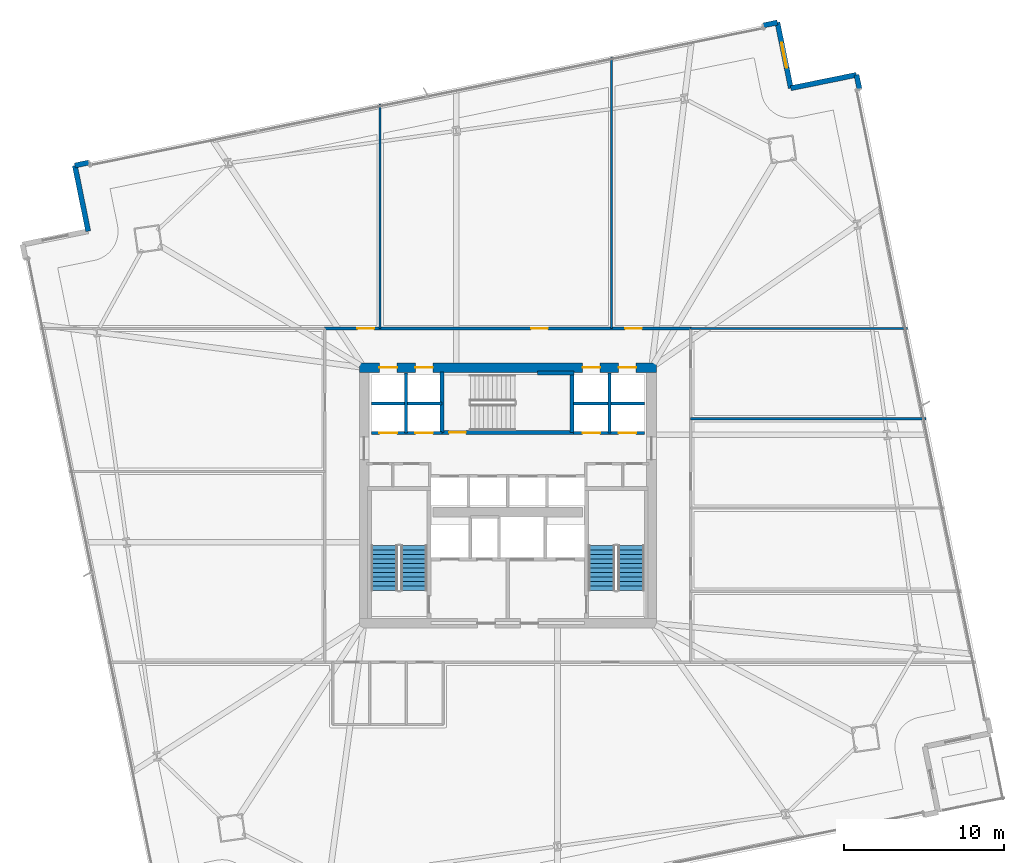
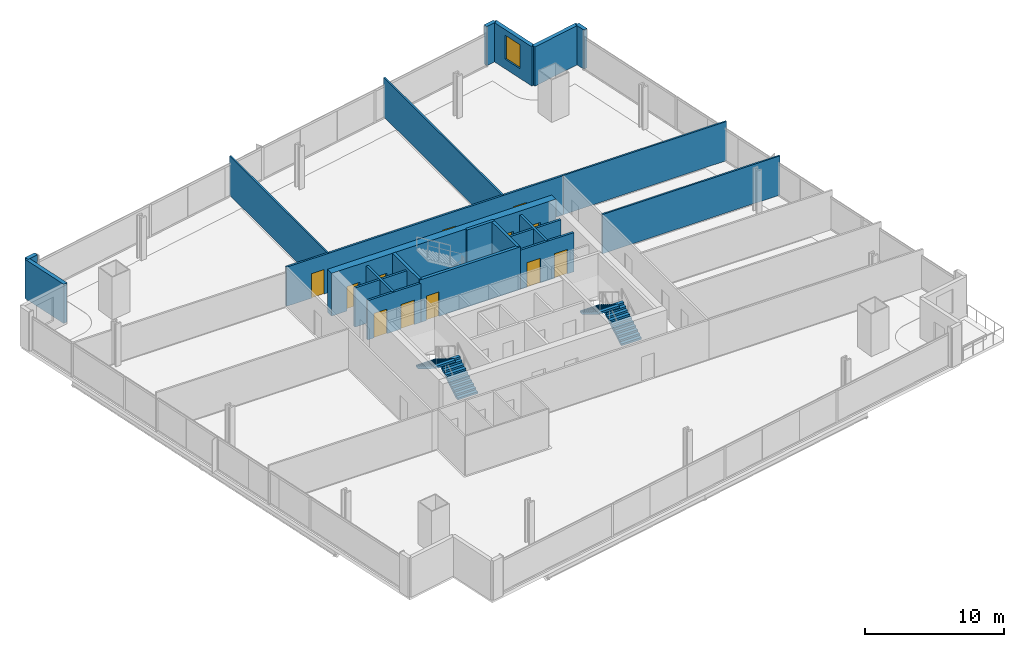
# One storey, part 27 of 33: 22 walls, 12 doors, 4 stair flights, 1 window, 13 openings, 2 elements without a shape of their own.
"""IFC4 building model written with IfcOpenShell, lengths in metres."""

from ifc_helpers import new_model, si_unit, direction, frame, frame_2d, origin, place, context, subcontext, project, spatial, polyline, rectangle, outline, extrude, material, layer, layer_set, type_object, element, fill, aggregate, save


model = new_model("IFC4")

# Units and contexts
model_context = context("Model", 3, precision=1e-05, world=origin(), true_north=direction((0.0, 1.0)))
body_context = subcontext(model_context, "Body", "Model", "MODEL_VIEW")
ifc_project = project(units=[si_unit("LENGTHUNIT", "METRE"), si_unit("AREAUNIT", "SQUARE_METRE"), si_unit("VOLUMEUNIT", "CUBIC_METRE"), si_unit("PLANEANGLEUNIT", "RADIAN"), si_unit("MASSUNIT", "GRAM", prefix="KILO")], contexts=[model_context])

# Site, building, storey
site_placement = place(None, origin())
site = spatial("IfcSite", under=ifc_project, at=site_placement, CompositionType="ELEMENT")
building_placement = place(site_placement, origin())
building = spatial("IfcBuilding", under=site, at=building_placement, Name="Haldenkirk Collegiate Tower", CompositionType="ELEMENT")
storey_placement = place(building_placement, frame((0.0, 0.0, 66.449951171875)))
storey = spatial("IfcBuildingStorey", under=building, at=storey_placement, Name="L15", CompositionType="ELEMENT", Elevation=66.449951171875)

# Wall, openings, doors
ifc_material_1 = material(Name="Concrete f'c 70 MPa", Category="concrete")
ifc_layer_1 = layer(ifc_material_1, 0.60009765625)
ifc_layer_set_1 = layer_set([ifc_layer_1], Name="Concrete f'c 70 MPa")
wall_type_1 = type_object("IfcWallType", Name="WL-CORE-600", PredefinedType="SHEAR", material=ifc_layer_set_1)
wall_1_placement = place(storey_placement, frame((26.699951171875, 34.0, 0.0), z_axis=(0.0, 0.0, 1.0), x_axis=(1.0, 0.0, 0.0)))
wall_1 = element("IfcWall", 1, at=wall_1_placement, inside=storey, type_object=wall_type_1, Name="L15 central core shear wall N", PredefinedType="SHEAR", context=body_context, shape_type="SweptSolid", body=[
    extrude(rectangle(XDim=18.60009765625, YDim=0.60009765625, at=frame_2d((9.300048828125, 0.0))), origin(), (0.0, 0.0, 1.0), 3.75),
])
opening_1_placement = place(wall_1_placement, frame((1.264892578125, 0.0, 0.0)))
opening_1 = element("IfcOpeningElement", 2, at=opening_1_placement, cuts=wall_1, Name="Opening LD-11", PredefinedType="OPENING", context=body_context, shape_type="SweptSolid", body=[
    extrude(rectangle(XDim=1.10009765625, YDim=2.14990234375, at=frame_2d((0.550048828125, 1.074951171875))), frame((0.0, 0.31005859375, 0.0), z_axis=(0.0, -1.0, 0.0), x_axis=(1.0, 0.0, 0.0)), (0.0, 0.0, 1.0), 0.6201171875),
])
opening_2_placement = place(wall_1_placement, frame((3.514892578125, 0.0, 0.0)))
opening_2 = element("IfcOpeningElement", 3, at=opening_2_placement, cuts=wall_1, Name="Opening LD-11", PredefinedType="OPENING", context=body_context, shape_type="SweptSolid", body=[
    extrude(rectangle(XDim=1.10009765625, YDim=2.14990234375, at=frame_2d((0.550048828125, 1.074951171875))), frame((0.0, 0.31005859375, 0.0), z_axis=(0.0, -1.0, 0.0), x_axis=(1.0, 0.0, 0.0)), (0.0, 0.0, 1.0), 0.6201171875),
])
opening_3_placement = place(wall_1_placement, frame((13.985107421875, 0.0, 0.0)))
opening_3 = element("IfcOpeningElement", 4, at=opening_3_placement, cuts=wall_1, Name="Opening LD-11", PredefinedType="OPENING", context=body_context, shape_type="SweptSolid", body=[
    extrude(rectangle(XDim=1.10009765625, YDim=2.14990234375, at=frame_2d((0.550048828125, 1.074951171875))), frame((0.0, 0.31005859375, 0.0), z_axis=(0.0, -1.0, 0.0), x_axis=(1.0, 0.0, 0.0)), (0.0, 0.0, 1.0), 0.6201171875),
])
opening_4_placement = place(wall_1_placement, frame((16.235107421875, 0.0, 0.0)))
opening_4 = element("IfcOpeningElement", 5, at=opening_4_placement, cuts=wall_1, Name="Opening LD-11", PredefinedType="OPENING", context=body_context, shape_type="SweptSolid", body=[
    extrude(rectangle(XDim=1.10009765625, YDim=2.14990234375, at=frame_2d((0.550048828125, 1.074951171875))), frame((0.0, 0.31005859375, 0.0), z_axis=(0.0, -1.0, 0.0), x_axis=(1.0, 0.0, 0.0)), (0.0, 0.0, 1.0), 0.6201171875),
])
ifc_material_2 = material(Name="Brushed architectural stainless steel", Category="steel")
ifc_layer_2 = layer(ifc_material_2, 0.06005859375)
ifc_layer_set_2 = layer_set([ifc_layer_2], Name="Brushed architectural stainless steel")
door_type_1 = type_object("IfcDoorType", Name="LD-PASS-1100", OperationType="NOTDEFINED", PredefinedType="DOOR", material=ifc_layer_set_2)
door_1_placement = place(opening_1_placement, origin())
door_1 = element("IfcDoor", 6, at=door_1_placement, inside=storey, type_object=door_type_1, Name="L15 Elevator PL3 sliding landing door", OperationType="SLIDING_TO_LEFT", OverallHeight=2.14990234375, OverallWidth=1.10009765625, PredefinedType="DOOR", context=body_context, shape_type="SweptSolid", body=[
    extrude(rectangle(XDim=1.10009765625, YDim=2.14990234375, at=frame_2d((0.550048828125, 1.074951171875))), frame((0.0, 0.02490234375, 0.0), z_axis=(0.0, -1.0, 0.0), x_axis=(1.0, 0.0, 0.0)), (0.0, 0.0, 1.0), 0.050048828125),
])
fill(opening_1, door_1)
door_2_placement = place(opening_2_placement, origin())
door_2 = element("IfcDoor", 7, at=door_2_placement, inside=storey, type_object=door_type_1, Name="L15 Elevator PL4 sliding landing door", OperationType="SLIDING_TO_LEFT", OverallHeight=2.14990234375, OverallWidth=1.10009765625, PredefinedType="DOOR", context=body_context, shape_type="SweptSolid", body=[
    extrude(rectangle(XDim=1.10009765625, YDim=2.14990234375, at=frame_2d((0.550048828125, 1.074951171875))), frame((0.0, 0.02490234375, 0.0), z_axis=(0.0, -1.0, 0.0), x_axis=(1.0, 0.0, 0.0)), (0.0, 0.0, 1.0), 0.050048828125),
])
fill(opening_2, door_2)
door_3_placement = place(opening_3_placement, origin())
door_3 = element("IfcDoor", 8, at=door_3_placement, inside=storey, type_object=door_type_1, Name="L15 Elevator PM3 sliding landing door", OperationType="SLIDING_TO_LEFT", OverallHeight=2.14990234375, OverallWidth=1.10009765625, PredefinedType="DOOR", context=body_context, shape_type="SweptSolid", body=[
    extrude(rectangle(XDim=1.10009765625, YDim=2.14990234375, at=frame_2d((0.550048828125, 1.074951171875))), frame((0.0, 0.02490234375, 0.0), z_axis=(0.0, -1.0, 0.0), x_axis=(1.0, 0.0, 0.0)), (0.0, 0.0, 1.0), 0.050048828125),
])
fill(opening_3, door_3)
door_4_placement = place(opening_4_placement, origin())
door_4 = element("IfcDoor", 9, at=door_4_placement, inside=storey, type_object=door_type_1, Name="L15 Elevator PM4 sliding landing door", OperationType="SLIDING_TO_LEFT", OverallHeight=2.14990234375, OverallWidth=1.10009765625, PredefinedType="DOOR", context=body_context, shape_type="SweptSolid", body=[
    extrude(rectangle(XDim=1.10009765625, YDim=2.14990234375, at=frame_2d((0.550048828125, 1.074951171875))), frame((0.0, 0.02490234375, 0.0), z_axis=(0.0, -1.0, 0.0), x_axis=(1.0, 0.0, 0.0)), (0.0, 0.0, 1.0), 0.050048828125),
])
fill(opening_4, door_4)

# Walls
ifc_material_3 = material(Name="Precast concrete f'c 40 MPa", Category="concrete")
ifc_layer_3 = layer(ifc_material_3, 0.320068359375)
ifc_layer_set_3 = layer_set([ifc_layer_3], Name="Precast concrete f'c 40 MPa")
wall_type_2 = type_object("IfcWallType", Name="WL-EXT-TWR-320", PredefinedType="STANDARD", material=ifc_layer_set_3)
wall_2_placement = place(storey_placement, frame((57.838623046875, 52.33251953125, 0.0), z_axis=(0.0, 0.0, 1.0), x_axis=(0.199401877541, -0.979917798202, 0.0)))
element("IfcWall", 10, at=wall_2_placement, inside=storey, type_object=wall_type_2, Name="L15 precast corner pier EL", PredefinedType="STANDARD", context=body_context, shape_type="SweptSolid", body=[
    extrude(rectangle(XDim=0.89990234375, YDim=0.320068359375, at=frame_2d((0.449951171875, 0.0))), origin(), (0.0, 0.0, 1.0), 3.43994140625),
])
wall_3_placement = place(storey_placement, frame((53.722900390625, 51.4951171875, 0.0), z_axis=(0.0, 0.0, 1.0), x_axis=(0.979922420409, 0.199379161348, 0.0)))
element("IfcWall", 11, at=wall_3_placement, inside=storey, type_object=wall_type_2, Name="L15 bronze precast notch wall 05", PredefinedType="STANDARD", context=body_context, shape_type="SweptSolid", body=[
    extrude(rectangle(XDim=4.199951171875, YDim=0.320068359375, at=frame_2d((2.10009765625, 0.0))), origin(), (0.0, 0.0, 1.0), 3.43994140625),
])

# Wall, opening, window
wall_4_placement = place(storey_placement, frame((52.885498046875, 55.61083984375, 0.0), z_axis=(0.0, 0.0, 1.0), x_axis=(0.199379161348, -0.979922420409, 0.0)))
wall_4 = element("IfcWall", 12, at=wall_4_placement, inside=storey, type_object=wall_type_2, Name="L15 bronze precast notch wall 06", PredefinedType="STANDARD", context=body_context, shape_type="SweptSolid", body=[
    extrude(rectangle(XDim=4.199951171875, YDim=0.320068359375, at=frame_2d((2.10009765625, 0.0))), origin(), (0.0, 0.0, 1.0), 3.43994140625),
])
opening_5_placement = place(wall_4_placement, frame((1.300048828125, 0.0, 0.85009765625)))
opening_5 = element("IfcOpeningElement", 13, at=opening_5_placement, cuts=wall_4, Name="Opening W-03", PredefinedType="OPENING", context=body_context, shape_type="SweptSolid", body=[
    extrude(rectangle(XDim=1.60009765625, YDim=2.10009765625, at=frame_2d((0.800048828125, 1.050048828125))), frame((0.0, 0.169921875, 0.0), z_axis=(0.0, -1.0, 0.0), x_axis=(1.0, 0.0, 0.0)), (0.0, 0.0, 1.0), 0.340087890625),
])
ifc_material_4 = material(Name="Low-E argon triple insulating glass", Category="glass")
ifc_layer_4 = layer(ifc_material_4, 0.090087890625)
ifc_layer_set_4 = layer_set([ifc_layer_4], Name="Low-E argon triple insulating glass")
window_type = type_object("IfcWindowType", Name="WN-Z1-1600X2100", PartitioningType="SINGLE_PANEL", PredefinedType="WINDOW", material=ifc_layer_set_4)
window_placement = place(opening_5_placement, origin())
window = element("IfcWindow", 14, at=window_placement, inside=storey, type_object=window_type, Name="L15 precast-frame academic window 5", OverallHeight=2.10009765625, OverallWidth=1.60009765625, PartitioningType="SINGLE_PANEL", PredefinedType="WINDOW", context=body_context, shape_type="SweptSolid", body=[
    extrude(rectangle(XDim=1.60009765625, YDim=2.10009765625, at=frame_2d((0.800048828125, 1.050048828125))), frame((0.0, 0.030029296875, 0.0), z_axis=(0.0, -1.0, 0.0), x_axis=(1.0, 0.0, 0.0)), (0.0, 0.0, 1.0), 0.06005859375),
])
fill(opening_5, window)

# Walls
for number, where, z_axis, x_axis, name in (
    (15, (8.886962890625, 46.6591796875, 0.0), (0.0, 0.0, 1.0), (0.979917798202, 0.199401877541, 0.0), "L15 precast corner pier NL"),
    (16, (52.003662109375, 55.431396484375, 0.0), (0.0, 0.0, 1.0), (0.979917798202, 0.199401877541, 0.0), "L15 precast corner pier NR"),
):
    element("IfcWall", number, at=place(storey_placement, frame(where, z_axis=z_axis, x_axis=x_axis)), inside=storey, type_object=wall_type_2, Name=name, PredefinedType="STANDARD", context=body_context, shape_type="SweptSolid", body=[
        extrude(rectangle(XDim=0.89990234375, YDim=0.320068359375, at=frame_2d((0.449951171875, 0.0))), origin(), (0.0, 0.0, 1.0), 3.43994140625),
    ])
wall_5_placement = place(storey_placement, frame((9.72412109375, 42.543701171875, 0.0), z_axis=(0.0, 0.0, 1.0), x_axis=(-0.199334697597, 0.979931466141, 0.0)))
element("IfcWall", 17, at=wall_5_placement, inside=storey, type_object=wall_type_2, Name="L15 bronze precast notch wall 08", PredefinedType="STANDARD", context=body_context, shape_type="SweptSolid", body=[
    extrude(rectangle(XDim=4.19970703125, YDim=0.320068359375, at=frame_2d((2.099853515625, 0.0))), origin(), (0.0, 0.0, 1.0), 3.43994140625),
])

# Wall, openings, doors
ifc_material_5 = material(Name="Acoustic fire-rated gypsum partition", Category="concrete")
ifc_layer_5 = layer(ifc_material_5, 0.159912109375)
ifc_layer_set_5 = layer_set([ifc_layer_5], Name="Acoustic fire-rated gypsum partition")
wall_type_3 = type_object("IfcWallType", Name="WL-INT-CORR-160", PredefinedType="PARTITIONING", material=ifc_layer_set_5)
wall_6_placement = place(storey_placement, frame((24.5, 36.449951171875, 0.0), z_axis=(0.0, 0.0, 1.0), x_axis=(1.0, 0.0, 0.0)))
wall_6 = element("IfcWall", 18, at=wall_6_placement, inside=storey, type_object=wall_type_3, Name="L15 interior partition IW-L15-CN", PredefinedType="PARTITIONING", context=body_context, shape_type="SweptSolid", body=[
    extrude(rectangle(XDim=23.0, YDim=0.159912109375, at=frame_2d((11.5, 0.0))), origin(), (0.0, 0.0, 1.0), 3.43994140625),
])
opening_6_placement = place(wall_6_placement, frame((2.0810546875, 0.0, 0.0)))
opening_6 = element("IfcOpeningElement", 19, at=opening_6_placement, cuts=wall_6, Name="Opening D-09", PredefinedType="OPENING", context=body_context, shape_type="SweptSolid", body=[
    extrude(rectangle(XDim=1.050048828125, YDim=2.14990234375, at=frame_2d((0.52490234375, 1.074951171875))), frame((0.0, 0.08984375, 0.0), z_axis=(0.0, -1.0, 0.0), x_axis=(1.0, 0.0, 0.0)), (0.0, 0.0, 1.0), 0.179931640625),
])
opening_7_placement = place(wall_6_placement, frame((12.955078125, 0.0, 0.0)))
opening_7 = element("IfcOpeningElement", 20, at=opening_7_placement, cuts=wall_6, Name="Opening D-09", PredefinedType="OPENING", context=body_context, shape_type="SweptSolid", body=[
    extrude(rectangle(XDim=1.050048828125, YDim=2.14990234375, at=frame_2d((0.52490234375, 1.074951171875))), frame((0.0, 0.08984375, 0.0), z_axis=(0.0, -1.0, 0.0), x_axis=(1.0, 0.0, 0.0)), (0.0, 0.0, 1.0), 0.179931640625),
])
opening_8_placement = place(wall_6_placement, frame((18.84912109375, 0.0, 0.0)))
opening_8 = element("IfcOpeningElement", 21, at=opening_8_placement, cuts=wall_6, Name="Opening D-09", PredefinedType="OPENING", context=body_context, shape_type="SweptSolid", body=[
    extrude(rectangle(XDim=1.050048828125, YDim=2.14990234375, at=frame_2d((0.52490234375, 1.074951171875))), frame((0.0, 0.08984375, 0.0), z_axis=(0.0, -1.0, 0.0), x_axis=(1.0, 0.0, 0.0)), (0.0, 0.0, 1.0), 0.179931640625),
])
ifc_material_6 = material(Name="Solid-core architectural oak fire door", Category="wood")
ifc_layer_6 = layer(ifc_material_6, 0.06005859375)
ifc_layer_set_6 = layer_set([ifc_layer_6], Name="Solid-core architectural oak fire door")
door_type_2 = type_object("IfcDoorType", Name="DR-INT-FD60-1050", OperationType="NOTDEFINED", PredefinedType="DOOR", material=ifc_layer_set_6)
door_5_placement = place(opening_6_placement, origin())
door_5 = element("IfcDoor", 22, at=door_5_placement, inside=storey, type_object=door_type_2, Name="L15 Catering Tea Kitchen 2 door", OperationType="SINGLE_SWING_RIGHT", OverallHeight=2.14990234375, OverallWidth=1.050048828125, PredefinedType="DOOR", context=body_context, shape_type="SweptSolid", body=[
    extrude(rectangle(XDim=1.050048828125, YDim=2.14990234375, at=frame_2d((0.52490234375, 1.074951171875))), frame((0.0, 0.02490234375, 0.0), z_axis=(0.0, -1.0, 0.0), x_axis=(1.0, 0.0, 0.0)), (0.0, 0.0, 1.0), 0.050048828125),
])
fill(opening_6, door_5)
door_6_placement = place(opening_7_placement, origin())
door_6 = element("IfcDoor", 23, at=door_6_placement, inside=storey, type_object=door_type_2, Name="L15 Faculty Tea Kitchen 3 door", OperationType="SINGLE_SWING_LEFT", OverallHeight=2.14990234375, OverallWidth=1.050048828125, PredefinedType="DOOR", context=body_context, shape_type="SweptSolid", body=[
    extrude(rectangle(XDim=1.050048828125, YDim=2.14990234375, at=frame_2d((0.52490234375, 1.074951171875))), frame((0.0, 0.02490234375, 0.0), z_axis=(0.0, -1.0, 0.0), x_axis=(1.0, 0.0, 0.0)), (0.0, 0.0, 1.0), 0.050048828125),
])
fill(opening_7, door_6)
door_7_placement = place(opening_8_placement, origin())
door_7 = element("IfcDoor", 24, at=door_7_placement, inside=storey, type_object=door_type_2, Name="L15 Academic Tea Kitchen 4 door", OperationType="SINGLE_SWING_RIGHT", OverallHeight=2.14990234375, OverallWidth=1.050048828125, PredefinedType="DOOR", context=body_context, shape_type="SweptSolid", body=[
    extrude(rectangle(XDim=1.050048828125, YDim=2.14990234375, at=frame_2d((0.52490234375, 1.074951171875))), frame((0.0, 0.02490234375, 0.0), z_axis=(0.0, -1.0, 0.0), x_axis=(1.0, 0.0, 0.0)), (0.0, 0.0, 1.0), 0.050048828125),
])
fill(opening_8, door_7)

# Walls
ifc_layer_7 = layer(ifc_material_5, 0.139892578125)
ifc_layer_set_7 = layer_set([ifc_layer_7], Name="Acoustic fire-rated gypsum partition")
wall_type_4 = type_object("IfcWallType", Name="WL-INT-DIV-140", PredefinedType="PARTITIONING", material=ifc_layer_set_7)
wall_7_placement = place(storey_placement, frame((47.449951171875, 36.449951171875, 0.0), z_axis=(0.0, 0.0, 1.0), x_axis=(1.0, 0.0, 0.0)))
element("IfcWall", 25, at=wall_7_placement, inside=storey, type_object=wall_type_4, Name="L15 interior partition IW-L15-BEN", PredefinedType="PARTITIONING", context=body_context, shape_type="SweptSolid", body=[
    extrude(rectangle(XDim=13.5791015625, YDim=0.139892578125, at=frame_2d((6.78955078125, 0.0))), origin(), (0.0, 0.0, 1.0), 3.43994140625),
])
wall_8_placement = place(storey_placement, frame((28.0, 36.449951171875, 0.0), z_axis=(0.0, 0.0, 1.0), x_axis=(0.0, 1.0, 0.0)))
element("IfcWall", 26, at=wall_8_placement, inside=storey, type_object=wall_type_4, Name="L15 interior partition IW-L15-RN1", PredefinedType="PARTITIONING", context=body_context, shape_type="SweptSolid", body=[
    extrude(rectangle(XDim=14.05712890625, YDim=0.139892578125, at=frame_2d((7.028564453125, 0.0))), origin(), (0.0, 0.0, 1.0), 3.43994140625),
])
wall_9_placement = place(storey_placement, frame((42.5, 36.449951171875, 0.0), z_axis=(0.0, 0.0, 1.0), x_axis=(0.0, 1.0, 0.0)))
element("IfcWall", 27, at=wall_9_placement, inside=storey, type_object=wall_type_4, Name="L15 interior partition IW-L15-RN2", PredefinedType="PARTITIONING", context=body_context, shape_type="SweptSolid", body=[
    extrude(rectangle(XDim=17.007080078125, YDim=0.139892578125, at=frame_2d((8.50341796875, 0.0))), origin(), (0.0, 0.0, 1.0), 3.43994140625),
])
wall_10_placement = place(storey_placement, frame((47.449951171875, 30.800048828125, 0.0), z_axis=(0.0, 0.0, 1.0), x_axis=(1.0, 0.0, 0.0)))
element("IfcWall", 28, at=wall_10_placement, inside=storey, type_object=wall_type_4, Name="L15 interior partition IW-L15-RE3", PredefinedType="PARTITIONING", context=body_context, shape_type="SweptSolid", body=[
    extrude(rectangle(XDim=14.728759765625, YDim=0.139892578125, at=frame_2d((7.3642578125, 0.0))), origin(), (0.0, 0.0, 1.0), 3.43994140625),
])

# Wall, openings, doors
ifc_material_7 = material(Name="Fire-rated gypsum shaftboard assembly", Category="concrete")
ifc_layer_8 = layer(ifc_material_7, 0.179931640625)
ifc_layer_set_8 = layer_set([ifc_layer_8], Name="Fire-rated gypsum shaftboard assembly")
wall_type_5 = type_object("IfcWallType", Name="WL-INT-SHAFT-180", PredefinedType="PARTITIONING", material=ifc_layer_set_8)
wall_11_placement = place(storey_placement, frame((27.449951171875, 29.89990234375, 0.0), z_axis=(0.0, 0.0, 1.0), x_axis=(1.0, 0.0, 0.0)))
wall_11 = element("IfcWall", 29, at=wall_11_placement, inside=storey, type_object=wall_type_5, Name="L15 interior partition IW-L15-PLS", PredefinedType="PARTITIONING", context=body_context, shape_type="SweptSolid", body=[
    extrude(rectangle(XDim=4.429931640625, YDim=0.179931640625, at=frame_2d((2.21484375, 0.0))), origin(), (0.0, 0.0, 1.0), 3.43994140625),
])
opening_9_placement = place(wall_11_placement, frame((0.514892578125, 0.0, 0.0)))
opening_9 = element("IfcOpeningElement", 30, at=opening_9_placement, cuts=wall_11, Name="Opening LD-11", PredefinedType="OPENING", context=body_context, shape_type="SweptSolid", body=[
    extrude(rectangle(XDim=1.10009765625, YDim=2.14990234375, at=frame_2d((0.550048828125, 1.074951171875))), frame((0.0, 0.099853515625, 0.0), z_axis=(0.0, -1.0, 0.0), x_axis=(1.0, 0.0, 0.0)), (0.0, 0.0, 1.0), 0.199951171875),
])
opening_10_placement = place(wall_11_placement, frame((2.764892578125, 0.0, 0.0)))
opening_10 = element("IfcOpeningElement", 31, at=opening_10_placement, cuts=wall_11, Name="Opening LD-11", PredefinedType="OPENING", context=body_context, shape_type="SweptSolid", body=[
    extrude(rectangle(XDim=1.10009765625, YDim=2.14990234375, at=frame_2d((0.550048828125, 1.074951171875))), frame((0.0, 0.099853515625, 0.0), z_axis=(0.0, -1.0, 0.0), x_axis=(1.0, 0.0, 0.0)), (0.0, 0.0, 1.0), 0.199951171875),
])
door_8_placement = place(opening_9_placement, origin())
door_8 = element("IfcDoor", 32, at=door_8_placement, inside=storey, type_object=door_type_1, Name="L15 Elevator PL1 sliding landing door", OperationType="SLIDING_TO_LEFT", OverallHeight=2.14990234375, OverallWidth=1.10009765625, PredefinedType="DOOR", context=body_context, shape_type="SweptSolid", body=[
    extrude(rectangle(XDim=1.10009765625, YDim=2.14990234375, at=frame_2d((0.550048828125, 1.074951171875))), frame((0.0, 0.02490234375, 0.0), z_axis=(0.0, -1.0, 0.0), x_axis=(1.0, 0.0, 0.0)), (0.0, 0.0, 1.0), 0.050048828125),
])
fill(opening_9, door_8)
door_9_placement = place(opening_10_placement, origin())
door_9 = element("IfcDoor", 33, at=door_9_placement, inside=storey, type_object=door_type_1, Name="L15 Elevator PL2 sliding landing door", OperationType="SLIDING_TO_LEFT", OverallHeight=2.14990234375, OverallWidth=1.10009765625, PredefinedType="DOOR", context=body_context, shape_type="SweptSolid", body=[
    extrude(rectangle(XDim=1.10009765625, YDim=2.14990234375, at=frame_2d((0.550048828125, 1.074951171875))), frame((0.0, 0.02490234375, 0.0), z_axis=(0.0, -1.0, 0.0), x_axis=(1.0, 0.0, 0.0)), (0.0, 0.0, 1.0), 0.050048828125),
])
fill(opening_10, door_9)

# Walls
wall_12_placement = place(storey_placement, frame((27.449951171875, 31.75, 0.0), z_axis=(0.0, 0.0, 1.0), x_axis=(1.0, 0.0, 0.0)))
element("IfcWall", 34, at=wall_12_placement, inside=storey, type_object=wall_type_5, Name="L15 interior partition IW-L15-PLM", PredefinedType="PARTITIONING", context=body_context, shape_type="SweptSolid", body=[
    extrude(rectangle(XDim=4.429931640625, YDim=0.179931640625, at=frame_2d((2.21484375, 0.0))), origin(), (0.0, 0.0, 1.0), 3.43994140625),
])
wall_13_placement = place(storey_placement, frame((29.6298828125, 29.89990234375, 0.0), z_axis=(0.0, 0.0, 1.0), x_axis=(0.0, 1.0, 0.0)))
element("IfcWall", 35, at=wall_13_placement, inside=storey, type_object=wall_type_5, Name="L15 interior partition IW-L15-PLV", PredefinedType="PARTITIONING", context=body_context, shape_type="SweptSolid", body=[
    extrude(rectangle(XDim=3.75, YDim=0.179931640625, at=frame_2d((1.875, 0.0))), origin(), (0.0, 0.0, 1.0), 3.43994140625),
])

# Wall, openings, doors
wall_14_placement = place(storey_placement, frame((40.1201171875, 29.89990234375, 0.0), z_axis=(0.0, 0.0, 1.0), x_axis=(1.0, 0.0, 0.0)))
wall_14 = element("IfcWall", 36, at=wall_14_placement, inside=storey, type_object=wall_type_5, Name="L15 interior partition IW-L15-PMS", PredefinedType="PARTITIONING", context=body_context, shape_type="SweptSolid", body=[
    extrude(rectangle(XDim=4.429931640625, YDim=0.179931640625, at=frame_2d((2.21484375, 0.0))), origin(), (0.0, 0.0, 1.0), 3.43994140625),
])
opening_11_placement = place(wall_14_placement, frame((0.56494140625, 0.0, 0.0)))
opening_11 = element("IfcOpeningElement", 37, at=opening_11_placement, cuts=wall_14, Name="Opening LD-11", PredefinedType="OPENING", context=body_context, shape_type="SweptSolid", body=[
    extrude(rectangle(XDim=1.10009765625, YDim=2.14990234375, at=frame_2d((0.550048828125, 1.074951171875))), frame((0.0, 0.099853515625, 0.0), z_axis=(0.0, -1.0, 0.0), x_axis=(1.0, 0.0, 0.0)), (0.0, 0.0, 1.0), 0.199951171875),
])
opening_12_placement = place(wall_14_placement, frame((2.81494140625, 0.0, 0.0)))
opening_12 = element("IfcOpeningElement", 38, at=opening_12_placement, cuts=wall_14, Name="Opening LD-11", PredefinedType="OPENING", context=body_context, shape_type="SweptSolid", body=[
    extrude(rectangle(XDim=1.10009765625, YDim=2.14990234375, at=frame_2d((0.550048828125, 1.074951171875))), frame((0.0, 0.099853515625, 0.0), z_axis=(0.0, -1.0, 0.0), x_axis=(1.0, 0.0, 0.0)), (0.0, 0.0, 1.0), 0.199951171875),
])
door_10_placement = place(opening_11_placement, origin())
door_10 = element("IfcDoor", 39, at=door_10_placement, inside=storey, type_object=door_type_1, Name="L15 Elevator PM1 sliding landing door", OperationType="SLIDING_TO_LEFT", OverallHeight=2.14990234375, OverallWidth=1.10009765625, PredefinedType="DOOR", context=body_context, shape_type="SweptSolid", body=[
    extrude(rectangle(XDim=1.10009765625, YDim=2.14990234375, at=frame_2d((0.550048828125, 1.074951171875))), frame((0.0, 0.02490234375, 0.0), z_axis=(0.0, -1.0, 0.0), x_axis=(1.0, 0.0, 0.0)), (0.0, 0.0, 1.0), 0.050048828125),
])
fill(opening_11, door_10)
door_11_placement = place(opening_12_placement, origin())
door_11 = element("IfcDoor", 40, at=door_11_placement, inside=storey, type_object=door_type_1, Name="L15 Elevator PM2 sliding landing door", OperationType="SLIDING_TO_LEFT", OverallHeight=2.14990234375, OverallWidth=1.10009765625, PredefinedType="DOOR", context=body_context, shape_type="SweptSolid", body=[
    extrude(rectangle(XDim=1.10009765625, YDim=2.14990234375, at=frame_2d((0.550048828125, 1.074951171875))), frame((0.0, 0.02490234375, 0.0), z_axis=(0.0, -1.0, 0.0), x_axis=(1.0, 0.0, 0.0)), (0.0, 0.0, 1.0), 0.050048828125),
])
fill(opening_12, door_11)

# Walls
wall_15_placement = place(storey_placement, frame((40.1201171875, 31.75, 0.0), z_axis=(0.0, 0.0, 1.0), x_axis=(1.0, 0.0, 0.0)))
element("IfcWall", 41, at=wall_15_placement, inside=storey, type_object=wall_type_5, Name="L15 interior partition IW-L15-PMM", PredefinedType="PARTITIONING", context=body_context, shape_type="SweptSolid", body=[
    extrude(rectangle(XDim=4.429931640625, YDim=0.179931640625, at=frame_2d((2.21484375, 0.0))), origin(), (0.0, 0.0, 1.0), 3.43994140625),
])
wall_16_placement = place(storey_placement, frame((42.3701171875, 29.89990234375, 0.0), z_axis=(0.0, 0.0, 1.0), x_axis=(0.0, 1.0, 0.0)))
element("IfcWall", 42, at=wall_16_placement, inside=storey, type_object=wall_type_5, Name="L15 interior partition IW-L15-PMV", PredefinedType="PARTITIONING", context=body_context, shape_type="SweptSolid", body=[
    extrude(rectangle(XDim=3.75, YDim=0.179931640625, at=frame_2d((1.875, 0.0))), origin(), (0.0, 0.0, 1.0), 3.43994140625),
])

# Wall, opening, door
ifc_material_8 = material(Name="Concrete f'c 55 MPa", Category="concrete")
ifc_layer_9 = layer(ifc_material_8, 0.239990234375)
ifc_layer_set_9 = layer_set([ifc_layer_9], Name="Concrete f'c 55 MPa")
wall_type_6 = type_object("IfcWallType", Name="WL-SHAFT-240", PredefinedType="SHEAR", material=ifc_layer_set_9)
wall_17_placement = place(storey_placement, frame((31.760009765625, 29.929931640625, 0.0), z_axis=(0.0, 0.0, 1.0), x_axis=(1.0, 0.0, 0.0)))
wall_17 = element("IfcWall", 43, at=wall_17_placement, inside=storey, type_object=wall_type_6, Name="L15 stair shaft shear wall SW-L15-ST3S", PredefinedType="SHEAR", context=body_context, shape_type="SweptSolid", body=[
    extrude(rectangle(XDim=8.3798828125, YDim=0.239990234375, at=frame_2d((4.18994140625, 0.0))), origin(), (0.0, 0.0, 1.0), 3.75),
])
opening_13_placement = place(wall_17_placement, frame((0.56494140625, 0.0, 0.0)))
opening_13 = element("IfcOpeningElement", 44, at=opening_13_placement, cuts=wall_17, Name="Opening D-01", PredefinedType="OPENING", context=body_context, shape_type="SweptSolid", body=[
    extrude(rectangle(XDim=1.050048828125, YDim=2.14990234375, at=frame_2d((0.52490234375, 1.074951171875))), frame((0.0, 0.1298828125, 0.0), z_axis=(0.0, -1.0, 0.0), x_axis=(1.0, 0.0, 0.0)), (0.0, 0.0, 1.0), 0.260009765625),
])
ifc_material_9 = material(Name="Galvanized fire-rated hollow steel door", Category="steel")
ifc_layer_10 = layer(ifc_material_9, 0.06005859375)
ifc_layer_set_10 = layer_set([ifc_layer_10], Name="Galvanized fire-rated hollow steel door")
door_type_3 = type_object("IfcDoorType", Name="DR-STAIR-FD90-1050", OperationType="NOTDEFINED", PredefinedType="DOOR", material=ifc_layer_set_10)
door_12_placement = place(opening_13_placement, origin())
door_12 = element("IfcDoor", 45, at=door_12_placement, inside=storey, type_object=door_type_3, Name="L15 lift lobby Stair 3 door", OperationType="SINGLE_SWING_RIGHT", OverallHeight=2.14990234375, OverallWidth=1.050048828125, PredefinedType="DOOR", context=body_context, shape_type="SweptSolid", body=[
    extrude(rectangle(XDim=1.050048828125, YDim=2.14990234375, at=frame_2d((0.52490234375, 1.074951171875))), frame((0.0, 0.02490234375, 0.0), z_axis=(0.0, -1.0, 0.0), x_axis=(1.0, 0.0, 0.0)), (0.0, 0.0, 1.0), 0.050048828125),
])
fill(opening_13, door_12)

# Walls
wall_18_placement = place(storey_placement, frame((31.8798828125, 29.929931640625, 0.0), z_axis=(0.0, 0.0, 1.0), x_axis=(0.0, 1.0, 0.0)))
element("IfcWall", 46, at=wall_18_placement, inside=storey, type_object=wall_type_6, Name="L15 stair shaft shear wall SW-L15-ST3W", PredefinedType="SHEAR", context=body_context, shape_type="SweptSolid", body=[
    extrude(rectangle(XDim=3.7900390625, YDim=0.239990234375, at=frame_2d((1.89501953125, 0.0))), origin(), (0.0, 0.0, 1.0), 3.75),
])
wall_19_placement = place(storey_placement, frame((40.02001953125, 29.929931640625, 0.0), z_axis=(0.0, 0.0, 1.0), x_axis=(0.0, 1.0, 0.0)))
element("IfcWall", 47, at=wall_19_placement, inside=storey, type_object=wall_type_6, Name="L15 stair shaft shear wall SW-L15-ST3E", PredefinedType="SHEAR", context=body_context, shape_type="SweptSolid", body=[
    extrude(rectangle(XDim=3.85009765625, YDim=0.239990234375, at=frame_2d((1.925048828125, 0.0))), origin(), (0.0, 0.0, 1.0), 3.75),
])
wall_20_placement = place(storey_placement, frame((37.85009765625, 33.659912109375, 0.0), z_axis=(0.0, 0.0, 1.0), x_axis=(1.0, 0.0, 0.0)))
element("IfcWall", 48, at=wall_20_placement, inside=storey, type_object=wall_type_6, Name="L15 stair shaft shear wall SW-L15-ST3N", PredefinedType="SHEAR", context=body_context, shape_type="SweptSolid", body=[
    extrude(rectangle(XDim=2.289794921875, YDim=0.239990234375, at=frame_2d((1.14501953125, 0.0))), origin(), (0.0, 0.0, 1.0), 3.75),
])

# Stair, stair flights
ifc_material_10 = material(Name="Concrete f'c 40 MPa", Category="concrete")
stair_type = type_object("IfcStairType", Name="STR-DOGLEG-1650", PredefinedType="HALF_TURN_STAIR", material=ifc_material_10)
stair_1_placement = place(storey_placement, origin())
stair_1 = element("IfcStair", 49, at=stair_1_placement, inside=storey, type_object=stair_type, Name="L15 Core Exit Stair ST-1", PredefinedType="HALF_TURN_STAIR")
stair_flight_type = type_object("IfcStairFlightType", Name="STF-FLIGHT-1650", PredefinedType="STRAIGHT", material=ifc_material_10)
stair_flight_1_placement = place(storey_placement, frame((30.125, 20.050048828125, 0.0), z_axis=(0.0, 0.0, 1.0), x_axis=(0.0, 1.0, 0.0)))
stair_flight_1 = element("IfcStairFlight", 50, at=stair_flight_1_placement, type_object=stair_flight_type, Name="ST-1 flight 1", NumberOfRisers=11, NumberOfTreads=10, PredefinedType="STRAIGHT", RiserHeight=0.170454545, TreadLength=0.28, context=body_context, shape_type="SweptSolid", body=[
    extrude(outline(polyline([(0.0, 0.0), (0.0, 0.17041015625), (0.280029296875, 0.17041015625), (0.280029296875, 0.3408203125), (0.56005859375, 0.3408203125), (0.56005859375, 0.511474609375), (0.840087890625, 0.511474609375), (0.840087890625, 0.681884765625), (1.1201171875, 0.681884765625), (1.1201171875, 0.852294921875), (1.39990234375, 0.852294921875), (1.39990234375, 1.022705078125), (1.679931640625, 1.022705078125), (1.679931640625, 1.193115234375), (1.9599609375, 1.193115234375), (1.9599609375, 1.363525390625), (2.239990234375, 1.363525390625), (2.239990234375, 1.5341796875), (2.52001953125, 1.5341796875), (2.52001953125, 1.70458984375), (2.800048828125, 1.70458984375), (2.800048828125, 1.875), (2.800048828125, 1.529052734375), (0.288330078125, 0.0), (0.0, 0.0)])), frame((0.0, 0.824951171875, 0.0), z_axis=(0.0, -1.0, 0.0), x_axis=(1.0, 0.0, 0.0)), (0.0, 0.0, 1.0), 1.64990234375),
])
stair_flight_2_placement = place(storey_placement, frame((28.27490234375, 22.85009765625, 1.875), z_axis=(0.0, 0.0, 1.0), x_axis=(0.0, -1.0, 0.0)))
stair_flight_2 = element("IfcStairFlight", 51, at=stair_flight_2_placement, type_object=stair_flight_type, Name="ST-1 flight 2", NumberOfRisers=11, NumberOfTreads=10, PredefinedType="STRAIGHT", RiserHeight=0.170454545, TreadLength=0.28, context=body_context, shape_type="SweptSolid", body=[
    extrude(outline(polyline([(0.0, 0.0), (0.0, 0.17041015625), (0.280029296875, 0.17041015625), (0.280029296875, 0.3408203125), (0.56005859375, 0.3408203125), (0.56005859375, 0.511474609375), (0.840087890625, 0.511474609375), (0.840087890625, 0.681884765625), (1.1201171875, 0.681884765625), (1.1201171875, 0.852294921875), (1.39990234375, 0.852294921875), (1.39990234375, 1.022705078125), (1.679931640625, 1.022705078125), (1.679931640625, 1.193115234375), (1.9599609375, 1.193115234375), (1.9599609375, 1.363525390625), (2.239990234375, 1.363525390625), (2.239990234375, 1.5341796875), (2.52001953125, 1.5341796875), (2.52001953125, 1.70458984375), (2.800048828125, 1.70458984375), (2.800048828125, 1.875), (2.800048828125, 1.529052734375), (0.288330078125, 0.0), (0.0, 0.0)])), frame((0.0, 0.824951171875, 0.0), z_axis=(0.0, -1.0, 0.0), x_axis=(1.0, 0.0, 0.0)), (0.0, 0.0, 1.0), 1.64990234375),
])
aggregate(stair_1, [stair_flight_1, stair_flight_2])

stair_2_placement = place(storey_placement, origin())
stair_2 = element("IfcStair", 52, at=stair_2_placement, inside=storey, type_object=stair_type, Name="L15 Core Exit Stair ST-2", PredefinedType="HALF_TURN_STAIR")
stair_flight_3_placement = place(storey_placement, frame((43.72509765625, 20.050048828125, 0.0), z_axis=(0.0, 0.0, 1.0), x_axis=(0.0, 1.0, 0.0)))
stair_flight_3 = element("IfcStairFlight", 53, at=stair_flight_3_placement, type_object=stair_flight_type, Name="ST-2 flight 1", NumberOfRisers=11, NumberOfTreads=10, PredefinedType="STRAIGHT", RiserHeight=0.170454545, TreadLength=0.28, context=body_context, shape_type="SweptSolid", body=[
    extrude(outline(polyline([(0.0, 0.0), (0.0, 0.17041015625), (0.280029296875, 0.17041015625), (0.280029296875, 0.3408203125), (0.56005859375, 0.3408203125), (0.56005859375, 0.511474609375), (0.840087890625, 0.511474609375), (0.840087890625, 0.681884765625), (1.1201171875, 0.681884765625), (1.1201171875, 0.852294921875), (1.39990234375, 0.852294921875), (1.39990234375, 1.022705078125), (1.679931640625, 1.022705078125), (1.679931640625, 1.193115234375), (1.9599609375, 1.193115234375), (1.9599609375, 1.363525390625), (2.239990234375, 1.363525390625), (2.239990234375, 1.5341796875), (2.52001953125, 1.5341796875), (2.52001953125, 1.70458984375), (2.800048828125, 1.70458984375), (2.800048828125, 1.875), (2.800048828125, 1.529052734375), (0.288330078125, 0.0), (0.0, 0.0)])), frame((0.0, 0.824951171875, 0.0), z_axis=(0.0, -1.0, 0.0), x_axis=(1.0, 0.0, 0.0)), (0.0, 0.0, 1.0), 1.64990234375),
])
stair_flight_4_placement = place(storey_placement, frame((41.875, 22.85009765625, 1.875), z_axis=(0.0, 0.0, 1.0), x_axis=(0.0, -1.0, 0.0)))
stair_flight_4 = element("IfcStairFlight", 54, at=stair_flight_4_placement, type_object=stair_flight_type, Name="ST-2 flight 2", NumberOfRisers=11, NumberOfTreads=10, PredefinedType="STRAIGHT", RiserHeight=0.170454545, TreadLength=0.28, context=body_context, shape_type="SweptSolid", body=[
    extrude(outline(polyline([(0.0, 0.0), (0.0, 0.17041015625), (0.280029296875, 0.17041015625), (0.280029296875, 0.3408203125), (0.56005859375, 0.3408203125), (0.56005859375, 0.511474609375), (0.840087890625, 0.511474609375), (0.840087890625, 0.681884765625), (1.1201171875, 0.681884765625), (1.1201171875, 0.852294921875), (1.39990234375, 0.852294921875), (1.39990234375, 1.022705078125), (1.679931640625, 1.022705078125), (1.679931640625, 1.193115234375), (1.9599609375, 1.193115234375), (1.9599609375, 1.363525390625), (2.239990234375, 1.363525390625), (2.239990234375, 1.5341796875), (2.52001953125, 1.5341796875), (2.52001953125, 1.70458984375), (2.800048828125, 1.70458984375), (2.800048828125, 1.875), (2.800048828125, 1.529052734375), (0.288330078125, 0.0), (0.0, 0.0)])), frame((0.0, 0.824951171875, 0.0), z_axis=(0.0, -1.0, 0.0), x_axis=(1.0, 0.0, 0.0)), (0.0, 0.0, 1.0), 1.64990234375),
])
aggregate(stair_2, [stair_flight_3, stair_flight_4])

save(model, "model.ifc")
